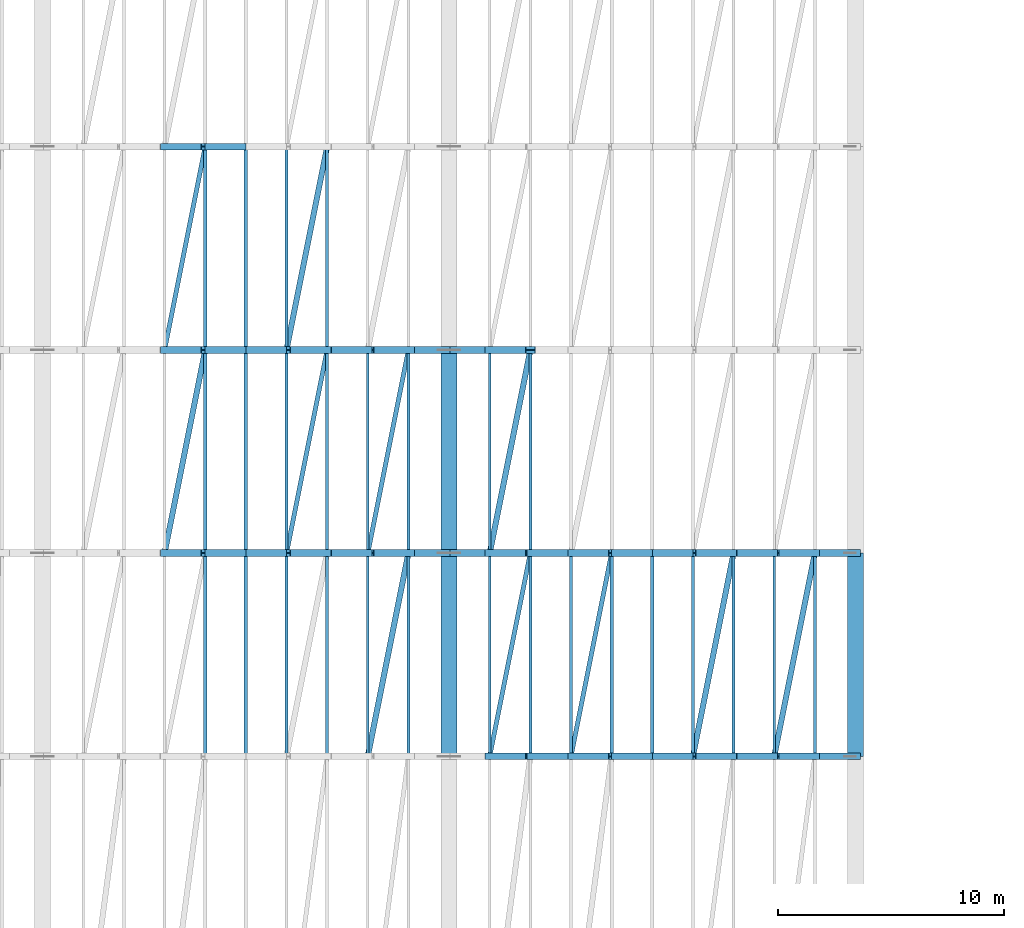
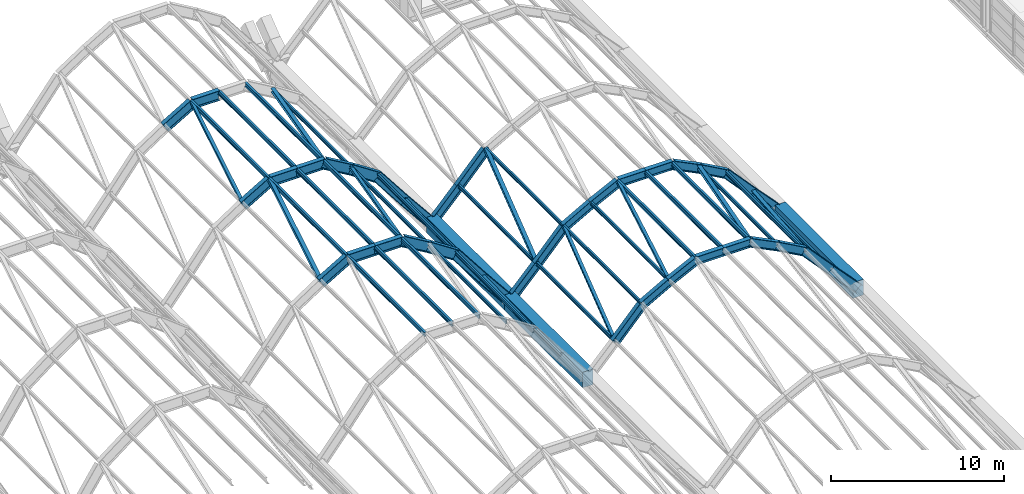
# One storey, part 25 of 86: 40 beams, 38 members.
"""IFC4 building model written with IfcOpenShell, lengths in metres."""

from ifc_helpers import new_model, si_unit, direction, frame, origin, origin_2d, place, context, subcontext, project, spatial, rectangle, i_section, extrude, material, material_profile, profile_set, type_object, element, save


model = new_model("IFC4")

# Units and contexts
model_context = context("Model", 3, precision=1e-05, world=origin(), true_north=direction((0.0, 1.0)))
body_context = subcontext(model_context, "Body", "Model", "MODEL_VIEW")
ifc_project = project(units=[si_unit("LENGTHUNIT", "METRE"), si_unit("AREAUNIT", "SQUARE_METRE"), si_unit("VOLUMEUNIT", "CUBIC_METRE"), si_unit("PLANEANGLEUNIT", "RADIAN"), si_unit("MASSUNIT", "GRAM", prefix="KILO")], contexts=[model_context])

# Site, building, storey
site_placement = place(None, origin())
site = spatial("IfcSite", under=ifc_project, at=site_placement, CompositionType="ELEMENT")
building_placement = place(site_placement, origin())
building = spatial("IfcBuilding", under=site, at=building_placement, Name="Chuanluo Vaults Station", CompositionType="ELEMENT")
storey_placement = place(building_placement, frame((0.0, 0.0, 14.39990234375)))
storey = spatial("IfcBuildingStorey", under=building, at=storey_placement, Name="L03", CompositionType="ELEMENT", Elevation=14.39990234375)

# Beams
ifc_material_1 = material(Name="Concrete C50", Category="concrete")
ifc_material_profile_1 = material_profile(ifc_material_1, rectangle(XDim=0.699951171875, YDim=1.10009765625, at=origin_2d()))
ifc_profile_set_1 = profile_set([ifc_material_profile_1], Name="Concrete C50")
beam_type_1 = type_object("IfcBeamType", Name="BM-VAL-RC", PredefinedType="USERDEFINED", material=ifc_profile_set_1)
for number, where, z_axis, x_axis, name in (
    (1, (108.0, 67.5, -0.7998046875), (0.0, 1.0, 0.0), (-1.0, 0.0, 0.0), "Vault springing valley beam X108-5"),
    (2, (108.0, 76.5, -0.7998046875), (0.0, 1.0, 0.0), (-1.0, 0.0, 0.0), "Vault springing valley beam X108-6"),
    (3, (126.0, 67.5, -0.7998046875), (0.0, 1.0, 0.0), (-1.0, 0.0, 0.0), "Vault springing valley beam X126-5"),
):
    element("IfcBeam", number, at=place(storey_placement, frame(where, z_axis=z_axis, x_axis=x_axis)), inside=storey, type_object=beam_type_1, Name=name, ObjectType="GIRDER", PredefinedType="USERDEFINED", context=body_context, shape_type="SweptSolid", body=[
        extrude(rectangle(XDim=0.699951171875, YDim=1.10009765625, at=origin_2d()), origin(), (0.0, 0.0, 1.0), 9.0),
    ])
ifc_material_2 = material(Name="Steel Q355C", Category="steel")
ifc_material_profile_2 = material_profile(ifc_material_2, i_section(OverallWidth=0.300048828125, OverallDepth=0.587890625, WebThickness=0.011962890625, FlangeThickness=0.02001953125, FilletRadius=0.02392578125, at=origin_2d()))
ifc_profile_set_2 = profile_set([ifc_material_profile_2], Name="Steel Q355C")
beam_type_2 = type_object("IfcBeamType", Name="BM-VLT-600", PredefinedType="USERDEFINED", material=ifc_profile_set_2)
beam_1_placement = place(storey_placement, frame((109.800048828125, 67.5, 1.173095703125), z_axis=(0.674369120381, 0.0, 0.738394399679), x_axis=(0.0, 1.0, 0.0)))
element("IfcBeam", 4, at=beam_1_placement, inside=storey, type_object=beam_type_2, Name="Vault V7 arch rib 5 chord 2", ObjectType="GIRDER", PredefinedType="USERDEFINED", context=body_context, shape_type="SweptSolid", body=[
    extrude(i_section(OverallWidth=0.300048828125, OverallDepth=0.587890625, WebThickness=0.011962890625, FlangeThickness=0.02001953125, FilletRadius=0.02392578125, at=origin_2d()), origin(), (0.0, 0.0, 1.0), 2.669189453125),
])
beam_2_placement = place(storey_placement, frame((111.60009765625, 67.5, 3.14404296875), z_axis=(0.873681685546, 0.0, 0.486498008569), x_axis=(0.0, 1.0, 0.0)))
element("IfcBeam", 5, at=beam_2_placement, inside=storey, type_object=beam_type_2, Name="Vault V7 arch rib 5 chord 3", ObjectType="GIRDER", PredefinedType="USERDEFINED", context=body_context, shape_type="SweptSolid", body=[
    extrude(i_section(OverallWidth=0.300048828125, OverallDepth=0.587890625, WebThickness=0.011962890625, FlangeThickness=0.02001953125, FilletRadius=0.02392578125, at=origin_2d()), origin(), (0.0, 0.0, 1.0), 2.06005859375),
])
beam_3_placement = place(storey_placement, frame((113.39990234375, 67.5, 4.146240234375), z_axis=(0.896436371213, 0.0, 0.443172463457), x_axis=(0.0, 1.0, 0.0)))
element("IfcBeam", 6, at=beam_3_placement, inside=storey, type_object=beam_type_2, Name="Vault V7 arch rib 5 chord 4", ObjectType="GIRDER", PredefinedType="USERDEFINED", context=body_context, shape_type="SweptSolid", body=[
    extrude(i_section(OverallWidth=0.300048828125, OverallDepth=0.587890625, WebThickness=0.011962890625, FlangeThickness=0.02001953125, FilletRadius=0.02392578125, at=origin_2d()), origin(), (0.0, 0.0, 1.0), 2.008056640625),
])
for number, where, z_axis, x_axis, name in (
    (7, (115.199951171875, 67.5, 5.0361328125), (1.0, 0.0, 0.0), (0.0, 1.0, 0.0), "Vault V7 arch rib 5 chord 5"),
    (8, (117.0, 67.5, 5.0361328125), (1.0, 0.0, 0.0), (0.0, 1.0, 0.0), "Vault V7 arch rib 5 chord 6"),
):
    element("IfcBeam", number, at=place(storey_placement, frame(where, z_axis=z_axis, x_axis=x_axis)), inside=storey, type_object=beam_type_2, Name=name, ObjectType="GIRDER", PredefinedType="USERDEFINED", context=body_context, shape_type="SweptSolid", body=[
        extrude(i_section(OverallWidth=0.300048828125, OverallDepth=0.587890625, WebThickness=0.011962890625, FlangeThickness=0.02001953125, FilletRadius=0.02392578125, at=origin_2d()), origin(), (0.0, 0.0, 1.0), 1.800048828125),
    ])
beam_4_placement = place(storey_placement, frame((118.800048828125, 67.5, 5.0361328125), z_axis=(0.896436371213, 0.0, -0.443172463457), x_axis=(0.0, 1.0, 0.0)))
element("IfcBeam", 9, at=beam_4_placement, inside=storey, type_object=beam_type_2, Name="Vault V7 arch rib 5 chord 7", ObjectType="GIRDER", PredefinedType="USERDEFINED", context=body_context, shape_type="SweptSolid", body=[
    extrude(i_section(OverallWidth=0.300048828125, OverallDepth=0.587890625, WebThickness=0.011962890625, FlangeThickness=0.02001953125, FilletRadius=0.02392578125, at=origin_2d()), origin(), (0.0, 0.0, 1.0), 2.008056640625),
])
beam_5_placement = place(storey_placement, frame((120.60009765625, 67.5, 4.146240234375), z_axis=(0.873681685546, 0.0, -0.486498008569), x_axis=(0.0, 1.0, 0.0)))
element("IfcBeam", 10, at=beam_5_placement, inside=storey, type_object=beam_type_2, Name="Vault V7 arch rib 5 chord 8", ObjectType="GIRDER", PredefinedType="USERDEFINED", context=body_context, shape_type="SweptSolid", body=[
    extrude(i_section(OverallWidth=0.300048828125, OverallDepth=0.587890625, WebThickness=0.011962890625, FlangeThickness=0.02001953125, FilletRadius=0.02392578125, at=origin_2d()), origin(), (0.0, 0.0, 1.0), 2.06005859375),
])
beam_6_placement = place(storey_placement, frame((122.39990234375, 67.5, 3.14404296875), z_axis=(0.674369120381, 0.0, -0.738394399679), x_axis=(0.0, 1.0, 0.0)))
element("IfcBeam", 11, at=beam_6_placement, inside=storey, type_object=beam_type_2, Name="Vault V7 arch rib 5 chord 9", ObjectType="GIRDER", PredefinedType="USERDEFINED", context=body_context, shape_type="SweptSolid", body=[
    extrude(i_section(OverallWidth=0.300048828125, OverallDepth=0.587890625, WebThickness=0.011962890625, FlangeThickness=0.02001953125, FilletRadius=0.02392578125, at=origin_2d()), origin(), (0.0, 0.0, 1.0), 2.669189453125),
])
for number, where, z_axis, x_axis, name in (
    (12, (124.199951171875, 67.5, 1.173095703125), (0.684521510403, 0.0, -0.728992662374), (0.0, 1.0, 0.0), "Vault V7 arch rib 5 chord 10"),
    (13, (108.0, 76.5, -0.743896484375), (0.684521510403, 0.0, 0.728992662374), (0.0, 1.0, 0.0), "Vault V7 arch rib 6 chord 1"),
):
    element("IfcBeam", number, at=place(storey_placement, frame(where, z_axis=z_axis, x_axis=x_axis)), inside=storey, type_object=beam_type_2, Name=name, ObjectType="GIRDER", PredefinedType="USERDEFINED", context=body_context, shape_type="SweptSolid", body=[
        extrude(i_section(OverallWidth=0.300048828125, OverallDepth=0.587890625, WebThickness=0.011962890625, FlangeThickness=0.02001953125, FilletRadius=0.02392578125, at=origin_2d()), origin(), (0.0, 0.0, 1.0), 2.629638671875),
    ])
beam_7_placement = place(storey_placement, frame((109.800048828125, 76.5, 1.173095703125), z_axis=(0.674369120381, 0.0, 0.738394399679), x_axis=(0.0, 1.0, 0.0)))
element("IfcBeam", 14, at=beam_7_placement, inside=storey, type_object=beam_type_2, Name="Vault V7 arch rib 6 chord 2", ObjectType="GIRDER", PredefinedType="USERDEFINED", context=body_context, shape_type="SweptSolid", body=[
    extrude(i_section(OverallWidth=0.300048828125, OverallDepth=0.587890625, WebThickness=0.011962890625, FlangeThickness=0.02001953125, FilletRadius=0.02392578125, at=origin_2d()), origin(), (0.0, 0.0, 1.0), 2.669189453125),
])
beam_8_placement = place(storey_placement, frame((111.60009765625, 76.5, 3.14404296875), z_axis=(0.873681685546, 0.0, 0.486498008569), x_axis=(0.0, 1.0, 0.0)))
element("IfcBeam", 15, at=beam_8_placement, inside=storey, type_object=beam_type_2, Name="Vault V7 arch rib 6 chord 3", ObjectType="GIRDER", PredefinedType="USERDEFINED", context=body_context, shape_type="SweptSolid", body=[
    extrude(i_section(OverallWidth=0.300048828125, OverallDepth=0.587890625, WebThickness=0.011962890625, FlangeThickness=0.02001953125, FilletRadius=0.02392578125, at=origin_2d()), origin(), (0.0, 0.0, 1.0), 2.06005859375),
])
beam_9_placement = place(storey_placement, frame((113.39990234375, 76.5, 4.146240234375), z_axis=(0.896436371213, 0.0, 0.443172463457), x_axis=(0.0, 1.0, 0.0)))
element("IfcBeam", 16, at=beam_9_placement, inside=storey, type_object=beam_type_2, Name="Vault V7 arch rib 6 chord 4", ObjectType="GIRDER", PredefinedType="USERDEFINED", context=body_context, shape_type="SweptSolid", body=[
    extrude(i_section(OverallWidth=0.300048828125, OverallDepth=0.587890625, WebThickness=0.011962890625, FlangeThickness=0.02001953125, FilletRadius=0.02392578125, at=origin_2d()), origin(), (0.0, 0.0, 1.0), 2.008056640625),
])
for number, where, z_axis, x_axis, name in (
    (17, (115.199951171875, 76.5, 5.0361328125), (1.0, 0.0, 0.0), (0.0, 1.0, 0.0), "Vault V7 arch rib 6 chord 5"),
    (18, (117.0, 76.5, 5.0361328125), (1.0, 0.0, 0.0), (0.0, 1.0, 0.0), "Vault V7 arch rib 6 chord 6"),
):
    element("IfcBeam", number, at=place(storey_placement, frame(where, z_axis=z_axis, x_axis=x_axis)), inside=storey, type_object=beam_type_2, Name=name, ObjectType="GIRDER", PredefinedType="USERDEFINED", context=body_context, shape_type="SweptSolid", body=[
        extrude(i_section(OverallWidth=0.300048828125, OverallDepth=0.587890625, WebThickness=0.011962890625, FlangeThickness=0.02001953125, FilletRadius=0.02392578125, at=origin_2d()), origin(), (0.0, 0.0, 1.0), 1.800048828125),
    ])
beam_10_placement = place(storey_placement, frame((118.800048828125, 76.5, 5.0361328125), z_axis=(0.896436371213, 0.0, -0.443172463457), x_axis=(0.0, 1.0, 0.0)))
element("IfcBeam", 19, at=beam_10_placement, inside=storey, type_object=beam_type_2, Name="Vault V7 arch rib 6 chord 7", ObjectType="GIRDER", PredefinedType="USERDEFINED", context=body_context, shape_type="SweptSolid", body=[
    extrude(i_section(OverallWidth=0.300048828125, OverallDepth=0.587890625, WebThickness=0.011962890625, FlangeThickness=0.02001953125, FilletRadius=0.02392578125, at=origin_2d()), origin(), (0.0, 0.0, 1.0), 2.008056640625),
])
beam_11_placement = place(storey_placement, frame((120.60009765625, 76.5, 4.146240234375), z_axis=(0.873681685546, 0.0, -0.486498008569), x_axis=(0.0, 1.0, 0.0)))
element("IfcBeam", 20, at=beam_11_placement, inside=storey, type_object=beam_type_2, Name="Vault V7 arch rib 6 chord 8", ObjectType="GIRDER", PredefinedType="USERDEFINED", context=body_context, shape_type="SweptSolid", body=[
    extrude(i_section(OverallWidth=0.300048828125, OverallDepth=0.587890625, WebThickness=0.011962890625, FlangeThickness=0.02001953125, FilletRadius=0.02392578125, at=origin_2d()), origin(), (0.0, 0.0, 1.0), 2.06005859375),
])
beam_12_placement = place(storey_placement, frame((122.39990234375, 76.5, 3.14404296875), z_axis=(0.674369120381, 0.0, -0.738394399679), x_axis=(0.0, 1.0, 0.0)))
element("IfcBeam", 21, at=beam_12_placement, inside=storey, type_object=beam_type_2, Name="Vault V7 arch rib 6 chord 9", ObjectType="GIRDER", PredefinedType="USERDEFINED", context=body_context, shape_type="SweptSolid", body=[
    extrude(i_section(OverallWidth=0.300048828125, OverallDepth=0.587890625, WebThickness=0.011962890625, FlangeThickness=0.02001953125, FilletRadius=0.02392578125, at=origin_2d()), origin(), (0.0, 0.0, 1.0), 2.669189453125),
])
for number, where, z_axis, x_axis, name in (
    (22, (124.199951171875, 76.5, 1.173095703125), (0.684521510403, 0.0, -0.728992662374), (0.0, 1.0, 0.0), "Vault V7 arch rib 6 chord 10"),
    (23, (108.0, 85.5, -0.743896484375), (0.684521510403, 0.0, 0.728992662374), (0.0, 1.0, 0.0), "Vault V7 arch rib 7 chord 1"),
):
    element("IfcBeam", number, at=place(storey_placement, frame(where, z_axis=z_axis, x_axis=x_axis)), inside=storey, type_object=beam_type_2, Name=name, ObjectType="GIRDER", PredefinedType="USERDEFINED", context=body_context, shape_type="SweptSolid", body=[
        extrude(i_section(OverallWidth=0.300048828125, OverallDepth=0.587890625, WebThickness=0.011962890625, FlangeThickness=0.02001953125, FilletRadius=0.02392578125, at=origin_2d()), origin(), (0.0, 0.0, 1.0), 2.629638671875),
    ])
beam_13_placement = place(storey_placement, frame((109.800048828125, 85.5, 1.173095703125), z_axis=(0.674369120381, 0.0, 0.738394399679), x_axis=(0.0, 1.0, 0.0)))
element("IfcBeam", 24, at=beam_13_placement, inside=storey, type_object=beam_type_2, Name="Vault V7 arch rib 7 chord 2", ObjectType="GIRDER", PredefinedType="USERDEFINED", context=body_context, shape_type="SweptSolid", body=[
    extrude(i_section(OverallWidth=0.300048828125, OverallDepth=0.587890625, WebThickness=0.011962890625, FlangeThickness=0.02001953125, FilletRadius=0.02392578125, at=origin_2d()), origin(), (0.0, 0.0, 1.0), 2.669189453125),
])
ifc_material_3 = material(Name="Steel Q355C", Category="steel")
ifc_material_profile_3 = material_profile(ifc_material_3, i_section(OverallWidth=0.300048828125, OverallDepth=0.699951171875, WebThickness=0.012939453125, FlangeThickness=0.02392578125, FilletRadius=0.02392578125, at=origin_2d()))
ifc_profile_set_3 = profile_set([ifc_material_profile_3], Name="Steel Q355C")
beam_type_3 = type_object("IfcBeamType", Name="BM-VLT-700", PredefinedType="USERDEFINED", material=ifc_profile_set_3)
beam_14_placement = place(storey_placement, frame((95.39990234375, 76.5, 4.92626953125), z_axis=(0.863009490662, 0.0, 0.505187706727), x_axis=(0.0, 1.0, 0.0)))
element("IfcBeam", 25, at=beam_14_placement, inside=storey, type_object=beam_type_3, Name="Vault V6 arch rib 6 chord 4", ObjectType="GIRDER", PredefinedType="USERDEFINED", context=body_context, shape_type="SweptSolid", body=[
    extrude(i_section(OverallWidth=0.300048828125, OverallDepth=0.699951171875, WebThickness=0.012939453125, FlangeThickness=0.02392578125, FilletRadius=0.02392578125, at=origin_2d()), origin(), (0.0, 0.0, 1.0), 2.085693359375),
])
for number, where, z_axis, x_axis, name in (
    (26, (97.199951171875, 76.5, 5.97998046875), (1.0, 0.0, 0.0), (0.0, 1.0, 0.0), "Vault V6 arch rib 6 chord 5"),
    (27, (99.0, 76.5, 5.97998046875), (1.0, 0.0, 0.0), (0.0, 1.0, 0.0), "Vault V6 arch rib 6 chord 6"),
):
    element("IfcBeam", number, at=place(storey_placement, frame(where, z_axis=z_axis, x_axis=x_axis)), inside=storey, type_object=beam_type_3, Name=name, ObjectType="GIRDER", PredefinedType="USERDEFINED", context=body_context, shape_type="SweptSolid", body=[
        extrude(i_section(OverallWidth=0.300048828125, OverallDepth=0.699951171875, WebThickness=0.012939453125, FlangeThickness=0.02392578125, FilletRadius=0.02392578125, at=origin_2d()), origin(), (0.0, 0.0, 1.0), 1.800048828125),
    ])
beam_15_placement = place(storey_placement, frame((100.800048828125, 76.5, 5.97998046875), z_axis=(0.863009490662, 0.0, -0.505187706727), x_axis=(0.0, 1.0, 0.0)))
element("IfcBeam", 28, at=beam_15_placement, inside=storey, type_object=beam_type_3, Name="Vault V6 arch rib 6 chord 7", ObjectType="GIRDER", PredefinedType="USERDEFINED", context=body_context, shape_type="SweptSolid", body=[
    extrude(i_section(OverallWidth=0.300048828125, OverallDepth=0.699951171875, WebThickness=0.012939453125, FlangeThickness=0.02392578125, FilletRadius=0.02392578125, at=origin_2d()), origin(), (0.0, 0.0, 1.0), 2.085693359375),
])
beam_16_placement = place(storey_placement, frame((102.60009765625, 76.5, 4.92626953125), z_axis=(0.836145448105, 0.0, -0.54850778446), x_axis=(0.0, 1.0, 0.0)))
element("IfcBeam", 29, at=beam_16_placement, inside=storey, type_object=beam_type_3, Name="Vault V6 arch rib 6 chord 8", ObjectType="GIRDER", PredefinedType="USERDEFINED", context=body_context, shape_type="SweptSolid", body=[
    extrude(i_section(OverallWidth=0.300048828125, OverallDepth=0.699951171875, WebThickness=0.012939453125, FlangeThickness=0.02392578125, FilletRadius=0.02392578125, at=origin_2d()), origin(), (0.0, 0.0, 1.0), 2.152587890625),
])
beam_17_placement = place(storey_placement, frame((104.39990234375, 76.5, 3.74560546875), z_axis=(0.613681275736, 0.0, -0.789553856182), x_axis=(0.0, 1.0, 0.0)))
element("IfcBeam", 30, at=beam_17_placement, inside=storey, type_object=beam_type_3, Name="Vault V6 arch rib 6 chord 9", ObjectType="GIRDER", PredefinedType="USERDEFINED", context=body_context, shape_type="SweptSolid", body=[
    extrude(i_section(OverallWidth=0.300048828125, OverallDepth=0.699951171875, WebThickness=0.012939453125, FlangeThickness=0.02392578125, FilletRadius=0.02392578125, at=origin_2d()), origin(), (0.0, 0.0, 1.0), 2.93310546875),
])
beam_18_placement = place(storey_placement, frame((106.199951171875, 76.5, 1.4296875), z_axis=(0.628190338877, 0.0, -0.778059700885), x_axis=(0.0, 1.0, 0.0)))
element("IfcBeam", 31, at=beam_18_placement, inside=storey, type_object=beam_type_3, Name="Vault V6 arch rib 6 chord 10", ObjectType="GIRDER", PredefinedType="USERDEFINED", context=body_context, shape_type="SweptSolid", body=[
    extrude(i_section(OverallWidth=0.300048828125, OverallDepth=0.699951171875, WebThickness=0.012939453125, FlangeThickness=0.02392578125, FilletRadius=0.02392578125, at=origin_2d()), origin(), (0.0, 0.0, 1.0), 2.865478515625),
])
beam_19_placement = place(storey_placement, frame((95.39990234375, 85.5, 4.92626953125), z_axis=(0.863009490662, 0.0, 0.505187706727), x_axis=(0.0, 1.0, 0.0)))
element("IfcBeam", 32, at=beam_19_placement, inside=storey, type_object=beam_type_3, Name="Vault V6 arch rib 7 chord 4", ObjectType="GIRDER", PredefinedType="USERDEFINED", context=body_context, shape_type="SweptSolid", body=[
    extrude(i_section(OverallWidth=0.300048828125, OverallDepth=0.699951171875, WebThickness=0.012939453125, FlangeThickness=0.02392578125, FilletRadius=0.02392578125, at=origin_2d()), origin(), (0.0, 0.0, 1.0), 2.085693359375),
])
for number, where, z_axis, x_axis, name in (
    (33, (97.199951171875, 85.5, 5.97998046875), (1.0, 0.0, 0.0), (0.0, 1.0, 0.0), "Vault V6 arch rib 7 chord 5"),
    (34, (99.0, 85.5, 5.97998046875), (1.0, 0.0, 0.0), (0.0, 1.0, 0.0), "Vault V6 arch rib 7 chord 6"),
):
    element("IfcBeam", number, at=place(storey_placement, frame(where, z_axis=z_axis, x_axis=x_axis)), inside=storey, type_object=beam_type_3, Name=name, ObjectType="GIRDER", PredefinedType="USERDEFINED", context=body_context, shape_type="SweptSolid", body=[
        extrude(i_section(OverallWidth=0.300048828125, OverallDepth=0.699951171875, WebThickness=0.012939453125, FlangeThickness=0.02392578125, FilletRadius=0.02392578125, at=origin_2d()), origin(), (0.0, 0.0, 1.0), 1.800048828125),
    ])
beam_20_placement = place(storey_placement, frame((100.800048828125, 85.5, 5.97998046875), z_axis=(0.863009490662, 0.0, -0.505187706727), x_axis=(0.0, 1.0, 0.0)))
element("IfcBeam", 35, at=beam_20_placement, inside=storey, type_object=beam_type_3, Name="Vault V6 arch rib 7 chord 7", ObjectType="GIRDER", PredefinedType="USERDEFINED", context=body_context, shape_type="SweptSolid", body=[
    extrude(i_section(OverallWidth=0.300048828125, OverallDepth=0.699951171875, WebThickness=0.012939453125, FlangeThickness=0.02392578125, FilletRadius=0.02392578125, at=origin_2d()), origin(), (0.0, 0.0, 1.0), 2.085693359375),
])
beam_21_placement = place(storey_placement, frame((102.60009765625, 85.5, 4.92626953125), z_axis=(0.836145448105, 0.0, -0.54850778446), x_axis=(0.0, 1.0, 0.0)))
element("IfcBeam", 36, at=beam_21_placement, inside=storey, type_object=beam_type_3, Name="Vault V6 arch rib 7 chord 8", ObjectType="GIRDER", PredefinedType="USERDEFINED", context=body_context, shape_type="SweptSolid", body=[
    extrude(i_section(OverallWidth=0.300048828125, OverallDepth=0.699951171875, WebThickness=0.012939453125, FlangeThickness=0.02392578125, FilletRadius=0.02392578125, at=origin_2d()), origin(), (0.0, 0.0, 1.0), 2.152587890625),
])
beam_22_placement = place(storey_placement, frame((104.39990234375, 85.5, 3.74560546875), z_axis=(0.613681275736, 0.0, -0.789553856182), x_axis=(0.0, 1.0, 0.0)))
element("IfcBeam", 37, at=beam_22_placement, inside=storey, type_object=beam_type_3, Name="Vault V6 arch rib 7 chord 9", ObjectType="GIRDER", PredefinedType="USERDEFINED", context=body_context, shape_type="SweptSolid", body=[
    extrude(i_section(OverallWidth=0.300048828125, OverallDepth=0.699951171875, WebThickness=0.012939453125, FlangeThickness=0.02392578125, FilletRadius=0.02392578125, at=origin_2d()), origin(), (0.0, 0.0, 1.0), 2.93310546875),
])
beam_23_placement = place(storey_placement, frame((106.199951171875, 85.5, 1.4296875), z_axis=(0.628190338877, 0.0, -0.778059700885), x_axis=(0.0, 1.0, 0.0)))
element("IfcBeam", 38, at=beam_23_placement, inside=storey, type_object=beam_type_3, Name="Vault V6 arch rib 7 chord 10", ObjectType="GIRDER", PredefinedType="USERDEFINED", context=body_context, shape_type="SweptSolid", body=[
    extrude(i_section(OverallWidth=0.300048828125, OverallDepth=0.699951171875, WebThickness=0.012939453125, FlangeThickness=0.02392578125, FilletRadius=0.02392578125, at=origin_2d()), origin(), (0.0, 0.0, 1.0), 2.865478515625),
])
beam_24_placement = place(storey_placement, frame((95.39990234375, 94.5, 4.92626953125), z_axis=(0.863009490662, 0.0, 0.505187706727), x_axis=(0.0, 1.0, 0.0)))
element("IfcBeam", 39, at=beam_24_placement, inside=storey, type_object=beam_type_3, Name="Vault V6 arch rib 8 chord 4", ObjectType="GIRDER", PredefinedType="USERDEFINED", context=body_context, shape_type="SweptSolid", body=[
    extrude(i_section(OverallWidth=0.300048828125, OverallDepth=0.699951171875, WebThickness=0.012939453125, FlangeThickness=0.02392578125, FilletRadius=0.02392578125, at=origin_2d()), origin(), (0.0, 0.0, 1.0), 2.085693359375),
])
beam_25_placement = place(storey_placement, frame((97.199951171875, 94.5, 5.97998046875), z_axis=(1.0, 0.0, 0.0), x_axis=(0.0, 1.0, 0.0)))
element("IfcBeam", 40, at=beam_25_placement, inside=storey, type_object=beam_type_3, Name="Vault V6 arch rib 8 chord 5", ObjectType="GIRDER", PredefinedType="USERDEFINED", context=body_context, shape_type="SweptSolid", body=[
    extrude(i_section(OverallWidth=0.300048828125, OverallDepth=0.699951171875, WebThickness=0.012939453125, FlangeThickness=0.02392578125, FilletRadius=0.02392578125, at=origin_2d()), origin(), (0.0, 0.0, 1.0), 1.800048828125),
])

# Members
ifc_material_4 = material(Name="Steel Q355C", Category="steel")
ifc_material_profile_4 = material_profile(ifc_material_4, i_section(OverallWidth=0.125, OverallDepth=0.25, WebThickness=0.006103515625, FlangeThickness=0.009033203125, FilletRadius=0.011962890625, at=origin_2d()))
ifc_profile_set_4 = profile_set([ifc_material_profile_4], Name="Steel Q355C")
member_type_1 = type_object("IfcMemberType", Name="MEM-PUR-250", PredefinedType="PURLIN", material=ifc_profile_set_4)
for number, where, z_axis, x_axis, name in (
    (41, (102.60009765625, 67.5, 5.068115234375), (0.0, 1.0, 0.0), (-1.0, 0.0, 0.0), "Vault V6 purlin 5.7"),
    (42, (104.39990234375, 67.5, 3.849853515625), (0.0, 1.0, 0.0), (-1.0, 0.0, 0.0), "Vault V6 purlin 5.8"),
    (43, (106.199951171875, 67.5, 1.5126953125), (0.0, 1.0, 0.0), (-1.0, 0.0, 0.0), "Vault V6 purlin 5.9"),
    (44, (102.60009765625, 76.5, 5.068115234375), (0.0, 1.0, 0.0), (-1.0, 0.0, 0.0), "Vault V6 purlin 6.7"),
    (45, (104.39990234375, 76.5, 3.849853515625), (0.0, 1.0, 0.0), (-1.0, 0.0, 0.0), "Vault V6 purlin 6.8"),
    (46, (106.199951171875, 76.5, 1.5126953125), (0.0, 1.0, 0.0), (-1.0, 0.0, 0.0), "Vault V6 purlin 6.9"),
    (47, (102.60009765625, 85.5, 5.068115234375), (0.0, 1.0, 0.0), (-1.0, 0.0, 0.0), "Vault V6 purlin 7.7"),
    (48, (109.800048828125, 67.5, 1.213134765625), (0.0, 1.0, 0.0), (-1.0, 0.0, 0.0), "Vault V7 purlin 5.1"),
    (49, (111.60009765625, 67.5, 3.206787109375), (0.0, 1.0, 0.0), (-1.0, 0.0, 0.0), "Vault V7 purlin 5.2"),
    (50, (113.39990234375, 67.5, 4.23779296875), (0.0, 1.0, 0.0), (-1.0, 0.0, 0.0), "Vault V7 purlin 5.3"),
    (51, (120.60009765625, 67.5, 4.23779296875), (0.0, 1.0, 0.0), (-1.0, 0.0, 0.0), "Vault V7 purlin 5.7"),
    (52, (122.39990234375, 67.5, 3.206787109375), (0.0, 1.0, 0.0), (-1.0, 0.0, 0.0), "Vault V7 purlin 5.8"),
    (53, (124.199951171875, 67.5, 1.213134765625), (0.0, 1.0, 0.0), (-1.0, 0.0, 0.0), "Vault V7 purlin 5.9"),
    (54, (109.800048828125, 76.5, 1.213134765625), (0.0, 1.0, 0.0), (-1.0, 0.0, 0.0), "Vault V7 purlin 6.1"),
    (55, (111.60009765625, 76.5, 3.206787109375), (0.0, 1.0, 0.0), (-1.0, 0.0, 0.0), "Vault V7 purlin 6.2"),
):
    element("IfcMember", number, at=place(storey_placement, frame(where, z_axis=z_axis, x_axis=x_axis)), inside=storey, type_object=member_type_1, Name=name, PredefinedType="PURLIN", context=body_context, shape_type="SweptSolid", body=[
        extrude(i_section(OverallWidth=0.125, OverallDepth=0.25, WebThickness=0.006103515625, FlangeThickness=0.009033203125, FilletRadius=0.011962890625, at=origin_2d()), origin(), (0.0, 0.0, 1.0), 9.0),
    ])
ifc_material_5 = material(Name="Steel Q355C", Category="steel")
ifc_material_profile_5 = material_profile(ifc_material_5, i_section(OverallWidth=0.14990234375, OverallDepth=0.300048828125, WebThickness=0.006591796875, FlangeThickness=0.009033203125, FilletRadius=0.012939453125, at=origin_2d()))
ifc_profile_set_5 = profile_set([ifc_material_profile_5], Name="Steel Q355C")
member_type_2 = type_object("IfcMemberType", Name="MEM-PUR-300", PredefinedType="PURLIN", material=ifc_profile_set_5)
for number, where, z_axis, x_axis, name in (
    (56, (97.199951171875, 67.5, 6.085693359375), (0.0, 1.0, 0.0), (-1.0, 0.0, 0.0), "Vault V6 purlin 5.4"),
    (57, (99.0, 67.5, 6.172119140625), (0.0, 1.0, 0.0), (-1.0, 0.0, 0.0), "Vault V6 purlin 5.5"),
    (58, (100.800048828125, 67.5, 6.085693359375), (0.0, 1.0, 0.0), (-1.0, 0.0, 0.0), "Vault V6 purlin 5.6"),
    (59, (97.199951171875, 76.5, 6.085693359375), (0.0, 1.0, 0.0), (-1.0, 0.0, 0.0), "Vault V6 purlin 6.4"),
    (60, (99.0, 76.5, 6.172119140625), (0.0, 1.0, 0.0), (-1.0, 0.0, 0.0), "Vault V6 purlin 6.5"),
    (61, (100.800048828125, 76.5, 6.085693359375), (0.0, 1.0, 0.0), (-1.0, 0.0, 0.0), "Vault V6 purlin 6.6"),
    (62, (97.199951171875, 85.5, 6.085693359375), (0.0, 1.0, 0.0), (-1.0, 0.0, 0.0), "Vault V6 purlin 7.4"),
    (63, (99.0, 85.5, 6.172119140625), (0.0, 1.0, 0.0), (-1.0, 0.0, 0.0), "Vault V6 purlin 7.5"),
    (64, (100.800048828125, 85.5, 6.085693359375), (0.0, 1.0, 0.0), (-1.0, 0.0, 0.0), "Vault V6 purlin 7.6"),
    (65, (115.199951171875, 67.5, 5.102294921875), (0.0, 1.0, 0.0), (-1.0, 0.0, 0.0), "Vault V7 purlin 5.4"),
    (66, (117.0, 67.5, 5.172119140625), (0.0, 1.0, 0.0), (-1.0, 0.0, 0.0), "Vault V7 purlin 5.5"),
    (67, (118.800048828125, 67.5, 5.102294921875), (0.0, 1.0, 0.0), (-1.0, 0.0, 0.0), "Vault V7 purlin 5.6"),
):
    element("IfcMember", number, at=place(storey_placement, frame(where, z_axis=z_axis, x_axis=x_axis)), inside=storey, type_object=member_type_2, Name=name, PredefinedType="PURLIN", context=body_context, shape_type="SweptSolid", body=[
        extrude(i_section(OverallWidth=0.14990234375, OverallDepth=0.300048828125, WebThickness=0.006591796875, FlangeThickness=0.009033203125, FilletRadius=0.012939453125, at=origin_2d()), origin(), (0.0, 0.0, 1.0), 9.0),
    ])
ifc_material_6 = material(Name="Steel Q355C", Category="steel")
ifc_material_profile_6 = material_profile(ifc_material_6, i_section(OverallWidth=0.199951171875, OverallDepth=0.199951171875, WebThickness=0.008056640625, FlangeThickness=0.011962890625, FilletRadius=0.012939453125, at=origin_2d()))
ifc_profile_set_6 = profile_set([ifc_material_profile_6], Name="Steel Q355C")
member_type_3 = type_object("IfcMemberType", Name="MEM-VBR-200", PredefinedType="BRACE", material=ifc_profile_set_6)
member_1_placement = place(storey_placement, frame((100.800048828125, 76.5, 6.085693359375), z_axis=(0.194926906054, 0.974608092333, -0.110193319467), x_axis=(-0.980579652604, 0.196121250506, 0.0)))
element("IfcMember", 68, at=member_1_placement, inside=storey, type_object=member_type_3, Name="Vault V6 space-frame diagonal 6.6", PredefinedType="BRACE", context=body_context, shape_type="SweptSolid", body=[
    extrude(i_section(OverallWidth=0.199951171875, OverallDepth=0.199951171875, WebThickness=0.008056640625, FlangeThickness=0.011962890625, FilletRadius=0.012939453125, at=origin_2d()), origin(), (0.0, 0.0, 1.0), 9.234375),
])
member_2_placement = place(storey_placement, frame((104.39990234375, 76.5, 3.849853515625), z_axis=(0.19005620389, 0.950255242126, -0.246766314911), x_axis=(-0.980579652604, 0.196121250506, 0.0)))
element("IfcMember", 69, at=member_2_placement, inside=storey, type_object=member_type_3, Name="Vault V6 space-frame diagonal 6.8", PredefinedType="BRACE", context=body_context, shape_type="SweptSolid", body=[
    extrude(i_section(OverallWidth=0.199951171875, OverallDepth=0.199951171875, WebThickness=0.008056640625, FlangeThickness=0.011962890625, FilletRadius=0.012939453125, at=origin_2d()), origin(), (0.0, 0.0, 1.0), 9.47119140625),
])
member_3_placement = place(storey_placement, frame((95.39990234375, 85.5, 5.068115234375), z_axis=(0.194926906054, 0.974608092333, 0.110193319467), x_axis=(-0.980579652604, 0.196121250506, 0.0)))
element("IfcMember", 70, at=member_3_placement, inside=storey, type_object=member_type_3, Name="Vault V6 space-frame diagonal 7.3", PredefinedType="BRACE", context=body_context, shape_type="SweptSolid", body=[
    extrude(i_section(OverallWidth=0.199951171875, OverallDepth=0.199951171875, WebThickness=0.008056640625, FlangeThickness=0.011962890625, FilletRadius=0.012939453125, at=origin_2d()), origin(), (0.0, 0.0, 1.0), 9.234375),
])
member_4_placement = place(storey_placement, frame((109.800048828125, 67.5, 1.213134765625), z_axis=(0.191652062064, 0.958234316551, 0.212265121228), x_axis=(-0.980579652604, 0.196121250506, 0.0)))
element("IfcMember", 71, at=member_4_placement, inside=storey, type_object=member_type_3, Name="Vault V7 space-frame diagonal 5.1", PredefinedType="BRACE", context=body_context, shape_type="SweptSolid", body=[
    extrude(i_section(OverallWidth=0.199951171875, OverallDepth=0.199951171875, WebThickness=0.008056640625, FlangeThickness=0.011962890625, FilletRadius=0.012939453125, at=origin_2d()), origin(), (0.0, 0.0, 1.0), 9.392333984375),
])
member_5_placement = place(storey_placement, frame((113.39990234375, 67.5, 4.23779296875), z_axis=(0.195257020583, 0.976258620206, 0.093775275991), x_axis=(-0.980579652604, 0.196121250506, 0.0)))
element("IfcMember", 72, at=member_5_placement, inside=storey, type_object=member_type_3, Name="Vault V7 space-frame diagonal 5.3", PredefinedType="BRACE", context=body_context, shape_type="SweptSolid", body=[
    extrude(i_section(OverallWidth=0.199951171875, OverallDepth=0.199951171875, WebThickness=0.008056640625, FlangeThickness=0.011962890625, FilletRadius=0.012939453125, at=origin_2d()), origin(), (0.0, 0.0, 1.0), 9.21875),
])
ifc_material_7 = material(Name="Steel Q355C", Category="steel")
ifc_material_profile_7 = material_profile(ifc_material_7, i_section(OverallWidth=0.25, OverallDepth=0.25, WebThickness=0.009033203125, FlangeThickness=0.013916015625, FilletRadius=0.01611328125, at=origin_2d()))
ifc_profile_set_7 = profile_set([ifc_material_profile_7], Name="Steel Q355C")
member_type_4 = type_object("IfcMemberType", Name="MEM-VBR-250", PredefinedType="BRACE", material=ifc_profile_set_7)
member_6_placement = place(storey_placement, frame((104.39990234375, 67.5, 3.849853515625), z_axis=(0.19005620389, 0.950255242126, -0.246766314911), x_axis=(-0.980579652604, 0.196121250506, 0.0)))
element("IfcMember", 73, at=member_6_placement, inside=storey, type_object=member_type_4, Name="Vault V6 space-frame diagonal 5.8", PredefinedType="BRACE", context=body_context, shape_type="SweptSolid", body=[
    extrude(i_section(OverallWidth=0.25, OverallDepth=0.25, WebThickness=0.009033203125, FlangeThickness=0.013916015625, FilletRadius=0.01611328125, at=origin_2d()), origin(), (0.0, 0.0, 1.0), 9.47119140625),
])
for number, where, z_axis, x_axis, name in (
    (74, (95.39990234375, 76.5, 5.068115234375), (0.194926906054, 0.974608092333, 0.110193319467), (-0.980579652604, 0.196121250506, 0.0), "Vault V6 space-frame diagonal 6.3"),
    (75, (100.800048828125, 85.5, 6.085693359375), (0.194926906054, 0.974608092333, -0.110193319467), (-0.980579652604, 0.196121250506, 0.0), "Vault V6 space-frame diagonal 7.6"),
):
    element("IfcMember", number, at=place(storey_placement, frame(where, z_axis=z_axis, x_axis=x_axis)), inside=storey, type_object=member_type_4, Name=name, PredefinedType="BRACE", context=body_context, shape_type="SweptSolid", body=[
        extrude(i_section(OverallWidth=0.25, OverallDepth=0.25, WebThickness=0.009033203125, FlangeThickness=0.013916015625, FilletRadius=0.01611328125, at=origin_2d()), origin(), (0.0, 0.0, 1.0), 9.234375),
    ])
member_7_placement = place(storey_placement, frame((118.800048828125, 67.5, 5.102294921875), z_axis=(0.195257020583, 0.976258620206, -0.093775275991), x_axis=(-0.980579652604, 0.196121250506, 0.0)))
element("IfcMember", 76, at=member_7_placement, inside=storey, type_object=member_type_4, Name="Vault V7 space-frame diagonal 5.6", PredefinedType="BRACE", context=body_context, shape_type="SweptSolid", body=[
    extrude(i_section(OverallWidth=0.25, OverallDepth=0.25, WebThickness=0.009033203125, FlangeThickness=0.013916015625, FilletRadius=0.01611328125, at=origin_2d()), origin(), (0.0, 0.0, 1.0), 9.21875),
])
for number, where, z_axis, x_axis, name in (
    (77, (122.39990234375, 67.5, 3.206787109375), (0.191652062064, 0.958234316551, -0.212265121228), (-0.980579652604, 0.196121250506, 0.0), "Vault V7 space-frame diagonal 5.8"),
    (78, (109.800048828125, 76.5, 1.213134765625), (0.191652062064, 0.958234316551, 0.212265121228), (-0.980579652604, 0.196121250506, 0.0), "Vault V7 space-frame diagonal 6.1"),
):
    element("IfcMember", number, at=place(storey_placement, frame(where, z_axis=z_axis, x_axis=x_axis)), inside=storey, type_object=member_type_4, Name=name, PredefinedType="BRACE", context=body_context, shape_type="SweptSolid", body=[
        extrude(i_section(OverallWidth=0.25, OverallDepth=0.25, WebThickness=0.009033203125, FlangeThickness=0.013916015625, FilletRadius=0.01611328125, at=origin_2d()), origin(), (0.0, 0.0, 1.0), 9.392333984375),
    ])

save(model, "model.ifc")
